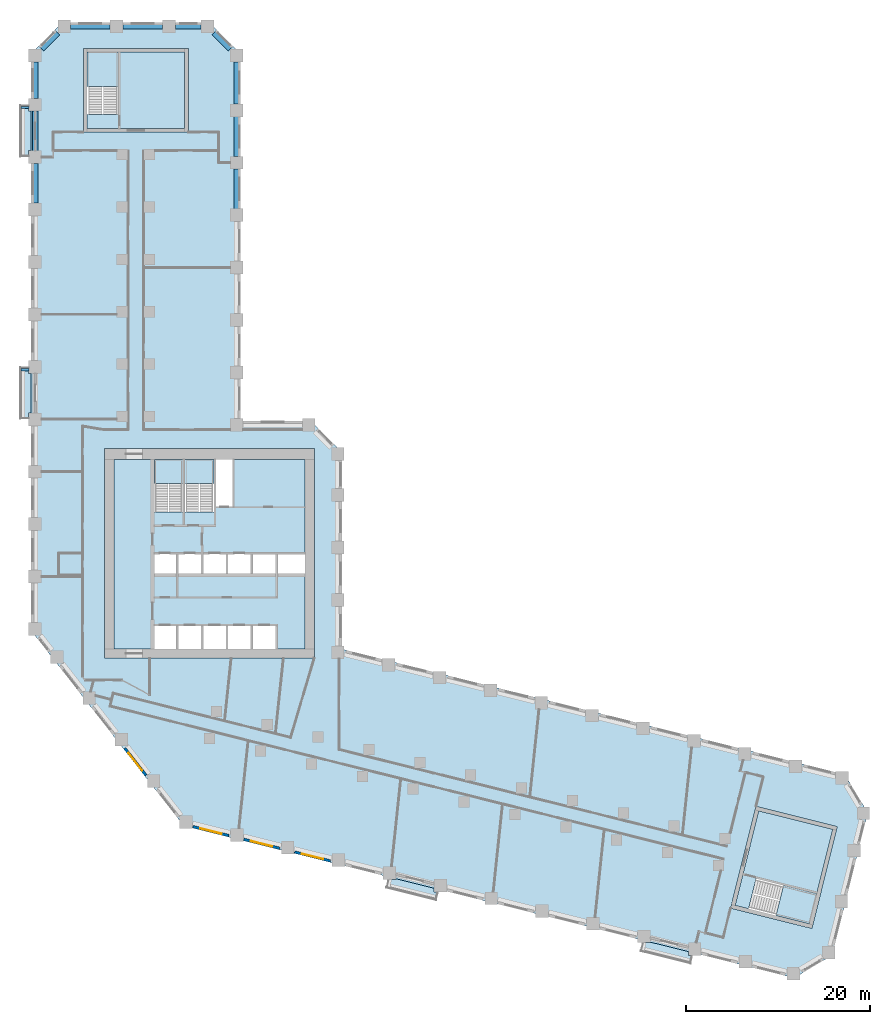
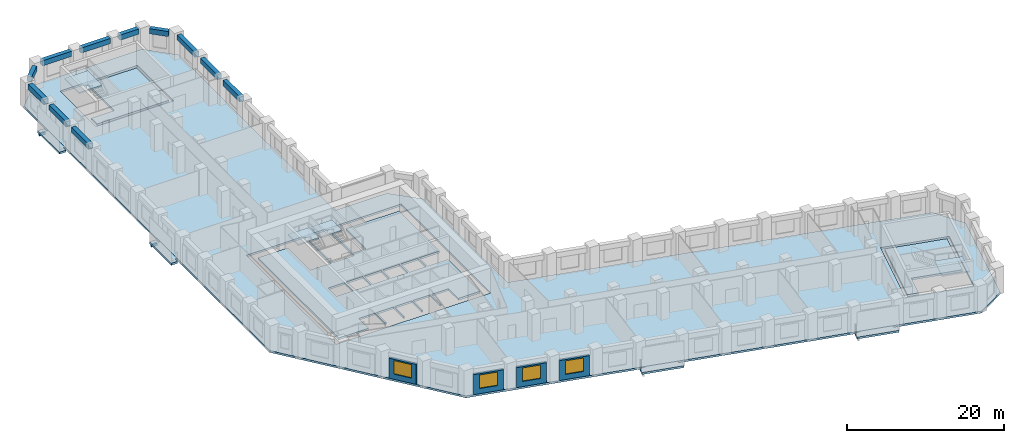
# One storey, part 2 of 11: 13 beams, 12 slabs, 4 walls, 4 windows, 4 openings, 4 elements without a shape of their own.
"""IFC4 building model written with IfcOpenShell, lengths in metres."""

from ifc_helpers import new_model, si_unit, direction, frame, frame_2d, origin, origin_2d, place, context, subcontext, project, spatial, polyline, rectangle, outline, extrude, material, layer, layer_set, material_profile, profile_set, type_object, element, fill, aggregate, save


model = new_model("IFC4")

# Units and contexts
model_context = context("Model", 3, precision=1e-05, world=origin(), true_north=direction((0.0, 1.0)))
body_context = subcontext(model_context, "Body", "Model", "MODEL_VIEW")
ifc_project = project(units=[si_unit("LENGTHUNIT", "METRE"), si_unit("AREAUNIT", "SQUARE_METRE"), si_unit("VOLUMEUNIT", "CUBIC_METRE"), si_unit("PLANEANGLEUNIT", "RADIAN"), si_unit("MASSUNIT", "GRAM", prefix="KILO")], contexts=[model_context])

# Site, building, storey
site_placement = place(None, origin())
site = spatial("IfcSite", under=ifc_project, at=site_placement, CompositionType="ELEMENT")
building_placement = place(site_placement, origin())
building = spatial("IfcBuilding", under=site, at=building_placement, Name="Meshkara Civic Tower", CompositionType="ELEMENT")
storey_placement = place(building_placement, frame((0.0, 0.0, 45.60009765625)))
storey = spatial("IfcBuildingStorey", under=building, at=storey_placement, Name="L09", CompositionType="ELEMENT", Elevation=45.60009765625)

# Beams
ifc_material_1 = material(Name="Concrete C50", Category="concrete")
ifc_material_profile_1 = material_profile(ifc_material_1, rectangle(XDim=0.25, YDim=0.39990234375, at=origin_2d()))
ifc_profile_set_1 = profile_set([ifc_material_profile_1], Name="Concrete C50")
beam_type_1 = type_object("IfcBeamType", Name="Balcony bracket beam RC 250x400 C50", PredefinedType="BEAM", material=ifc_profile_set_1)
for number, where, z_axis, x_axis, name in (
    (1, (-0.2451171875, 73.955078125, -0.5), (-1.0, 0.0, 0.0), (0.0, -1.0, 0.0), "Balcony bracket beam"),
    (2, (-0.2451171875, 45.455078125, -0.5), (-1.0, 0.0, 0.0), (0.0, -1.0, 0.0), "Balcony bracket beam"),
):
    element("IfcBeam", number, at=place(storey_placement, frame(where, z_axis=z_axis, x_axis=x_axis)), inside=storey, type_object=beam_type_1, Name=name, PredefinedType="BEAM", context=body_context, shape_type="SweptSolid", body=[
        extrude(rectangle(XDim=0.25, YDim=0.39990234375, at=origin_2d()), origin(), (0.0, 0.0, 1.0), 0.85498046875),
    ])
ifc_material_2 = material(Name="Concrete C70", Category="concrete")
ifc_material_profile_2 = material_profile(ifc_material_2, rectangle(XDim=0.60009765625, YDim=0.800048828125, at=origin_2d()))
ifc_profile_set_2 = profile_set([ifc_material_profile_2], Name="Concrete C70")
beam_type_2 = type_object("IfcBeamType", Name="Spandrel beam RC 600x800 C70", PredefinedType="BEAM", material=ifc_profile_set_2)
beam_1_placement = place(storey_placement, frame((22.35009765625, 62.945068359375, 3.5), z_axis=(0.0, 1.0, 0.0), x_axis=(-1.0, 0.0, 0.0)))
element("IfcBeam", 3, at=beam_1_placement, inside=storey, type_object=beam_type_2, Name="Spandrel beam AE04-AE05", PredefinedType="BEAM", context=body_context, shape_type="SweptSolid", body=[
    extrude(rectangle(XDim=0.60009765625, YDim=0.800048828125, at=origin_2d()), origin(), (0.0, 0.0, 1.0), 4.309814453125),
])
beam_2_placement = place(storey_placement, frame((22.35009765625, 68.64501953125, 3.5), z_axis=(0.0, 1.0, 0.0), x_axis=(-1.0, 0.0, 0.0)))
element("IfcBeam", 4, at=beam_2_placement, inside=storey, type_object=beam_type_2, Name="Spandrel beam AE05-AE06", PredefinedType="BEAM", context=body_context, shape_type="SweptSolid", body=[
    extrude(rectangle(XDim=0.60009765625, YDim=0.800048828125, at=origin_2d()), origin(), (0.0, 0.0, 1.0), 4.31005859375),
])
beam_3_placement = place(storey_placement, frame((22.35009765625, 74.344970703125, 3.5), z_axis=(0.0, 1.0, 0.0), x_axis=(-1.0, 0.0, 0.0)))
element("IfcBeam", 5, at=beam_3_placement, inside=storey, type_object=beam_type_2, Name="Spandrel beam AE06-AEE", PredefinedType="BEAM", context=body_context, shape_type="SweptSolid", body=[
    extrude(rectangle(XDim=0.60009765625, YDim=0.800048828125, at=origin_2d()), origin(), (0.0, 0.0, 1.0), 4.573974609375),
])
beam_4_placement = place(storey_placement, frame((21.653564453125, 80.310546875, 3.5), z_axis=(-0.707155737934, 0.70705782105, 0.0), x_axis=(-0.70705782105, -0.707155737934, 0.0)))
element("IfcBeam", 6, at=beam_4_placement, inside=storey, type_object=beam_type_2, Name="Spandrel beam AEE-ATiE", PredefinedType="BEAM", context=body_context, shape_type="SweptSolid", body=[
    extrude(rectangle(XDim=0.60009765625, YDim=0.800048828125, at=origin_2d()), origin(), (0.0, 0.0, 1.0), 2.493408203125),
])
beam_5_placement = place(storey_placement, frame((18.4990234375, 82.77001953125, 3.5), z_axis=(-1.0, 0.0, 0.0), x_axis=(0.0, -1.0, 0.0)))
element("IfcBeam", 7, at=beam_5_placement, inside=storey, type_object=beam_type_2, Name="Spandrel beam AT02-ATiE", PredefinedType="BEAM", context=body_context, shape_type="SweptSolid", body=[
    extrude(rectangle(XDim=0.60009765625, YDim=0.800048828125, at=origin_2d()), origin(), (0.0, 0.0, 1.0), 2.798095703125),
])
for number, where, z_axis, x_axis, name in (
    (8, (14.31103515625, 82.77001953125, 3.5), (-1.0, 0.0, 0.0), (0.0, -1.0, 0.0), "Spandrel beam AT01-AT02"),
    (9, (8.611083984375, 82.77001953125, 3.5), (-1.0, 0.0, 0.0), (0.0, -1.0, 0.0), "Spandrel beam AT00-AT01"),
):
    element("IfcBeam", number, at=place(storey_placement, frame(where, z_axis=z_axis, x_axis=x_axis)), inside=storey, type_object=beam_type_2, Name=name, PredefinedType="BEAM", context=body_context, shape_type="SweptSolid", body=[
        extrude(rectangle(XDim=0.60009765625, YDim=0.800048828125, at=origin_2d()), origin(), (0.0, 0.0, 1.0), 4.31005859375),
    ])
beam_6_placement = place(storey_placement, frame((2.909423828125, 82.073486328125, 3.5), z_axis=(-0.707106781187, -0.707106781187, 0.0), x_axis=(0.707106781187, -0.707106781187, 0.0)))
element("IfcBeam", 10, at=beam_6_placement, inside=storey, type_object=beam_type_2, Name="Spandrel beam AT00-ATo00", PredefinedType="BEAM", context=body_context, shape_type="SweptSolid", body=[
    extrude(rectangle(XDim=0.60009765625, YDim=0.800048828125, at=origin_2d()), origin(), (0.0, 0.0, 1.0), 2.4931640625),
])
beam_7_placement = place(storey_placement, frame((0.449951171875, 78.9189453125, 3.5), z_axis=(0.0, -1.0, 0.0), x_axis=(1.0, 0.0, 0.0)))
element("IfcBeam", 11, at=beam_7_placement, inside=storey, type_object=beam_type_2, Name="Spandrel beam ATo00-AW10", PredefinedType="BEAM", context=body_context, shape_type="SweptSolid", body=[
    extrude(rectangle(XDim=0.60009765625, YDim=0.800048828125, at=origin_2d()), origin(), (0.0, 0.0, 1.0), 3.968994140625),
])
for number, where, z_axis, x_axis, name in (
    (12, (0.449951171875, 73.56005859375, 3.5), (0.0, -1.0, 0.0), (1.0, 0.0, 0.0), "Spandrel beam AW09-AW10"),
    (13, (0.449951171875, 67.860107421875, 3.5), (0.0, -1.0, 0.0), (1.0, 0.0, 0.0), "Spandrel beam AW08-AW09"),
):
    element("IfcBeam", number, at=place(storey_placement, frame(where, z_axis=z_axis, x_axis=x_axis)), inside=storey, type_object=beam_type_2, Name=name, PredefinedType="BEAM", context=body_context, shape_type="SweptSolid", body=[
        extrude(rectangle(XDim=0.60009765625, YDim=0.800048828125, at=origin_2d()), origin(), (0.0, 0.0, 1.0), 4.31005859375),
    ])

# Slabs
ifc_material_3 = material(Name="Concrete C40", Category="concrete")
ifc_layer_1 = layer(ifc_material_3, 0.300048828125)
ifc_layer_set_1 = layer_set([ifc_layer_1], Name="BALCONY SLAB")
slab_type_1 = type_object("IfcSlabType", Name="BALCONY SLAB", PredefinedType="FLOOR", material=ifc_layer_set_1)
slab_1_placement = place(storey_placement, frame((0.0, 0.0, -0.300048828125)))
element("IfcSlab", 14, at=slab_1_placement, inside=storey, type_object=slab_type_1, Name="Balcony slab", PredefinedType="FLOOR", context=body_context, shape_type="SweptSolid", body=[
    extrude(outline(polyline([(-1.199951171875, 68.614990234375), (-1.199951171875, 74.195068359375), (-0.25, 74.195068359375), (-0.25, 73.554931640625), (0.0, 73.554931640625), (0.0, 69.2548828125), (-0.25, 69.2548828125), (-0.25, 68.614990234375), (-1.199951171875, 68.614990234375)])), origin(), (0.0, 0.0, 1.0), 0.300048828125),
])
slab_2_placement = place(storey_placement, frame((0.0, 0.0, -0.300048828125)))
element("IfcSlab", 15, at=slab_2_placement, inside=storey, type_object=slab_type_1, Name="Balcony slab", PredefinedType="FLOOR", context=body_context, shape_type="SweptSolid", body=[
    extrude(outline(polyline([(-1.199951171875, 40.114990234375), (-1.199951171875, 45.695068359375), (-0.25, 45.695068359375), (-0.25, 45.054931640625), (0.0, 45.054931640625), (0.0, 40.7548828125), (-0.25, 40.7548828125), (-0.25, 40.114990234375), (-1.199951171875, 40.114990234375)])), origin(), (0.0, 0.0, 1.0), 0.300048828125),
])
slab_3_placement = place(storey_placement, frame((0.0, 0.0, -0.300048828125)))
element("IfcSlab", 16, at=slab_3_placement, inside=storey, type_object=slab_type_1, Name="Balcony slab", PredefinedType="FLOOR", context=body_context, shape_type="SweptSolid", body=[
    extrude(outline(polyline([(44.047119140625, -12.218994140625), (38.633056640625, -10.868896484375), (38.861083984375, -9.9541015625), (39.674072265625, -9.9541015625), (39.674072265625, -9.89208984375), (43.804931640625, -10.922119140625), (43.804931640625, -11.33203125), (44.26904296875, -11.33203125), (44.047119140625, -12.218994140625)])), origin(), (0.0, 0.0, 1.0), 0.300048828125),
])
slab_4_placement = place(storey_placement, frame((0.0, 0.0, -0.300048828125)))
element("IfcSlab", 17, at=slab_4_placement, inside=storey, type_object=slab_type_1, Name="Balcony slab", PredefinedType="FLOOR", context=body_context, shape_type="SweptSolid", body=[
    extrude(outline(polyline([(71.700927734375, -19.114013671875), (66.285888671875, -17.763916015625), (66.513916015625, -16.847900390625), (67.326904296875, -16.847900390625), (67.326904296875, -16.785888671875), (71.4580078125, -17.81591796875), (71.4580078125, -18.22705078125), (71.922119140625, -18.22705078125), (71.700927734375, -19.114013671875)])), origin(), (0.0, 0.0, 1.0), 0.300048828125),
])
ifc_material_4 = material(Name="Concrete C40/50", Category="concrete")
ifc_layer_2 = layer(ifc_material_4, 0.300048828125)
ifc_layer_set_2 = layer_set([ifc_layer_2], Name="Core floor slab 300 C40/50")
slab_type_2 = type_object("IfcSlabType", Name="Core floor slab 300 C40/50", PredefinedType="FLOOR", material=ifc_layer_set_2)
slab_5_placement = place(storey_placement, frame((0.0, 0.0, -0.300048828125)))
element("IfcSlab", 18, at=slab_5_placement, inside=storey, type_object=slab_type_2, Name="Core floor K", PredefinedType="FLOOR", context=body_context, shape_type="SweptSolid", body=[
    extrude(outline(polyline([(9.0, 35.699951171875), (13.39990234375, 35.699951171875), (13.39990234375, 30.00146484375), (16.5, 30.00146484375), (16.5, 35.699951171875), (16.699951171875, 35.699951171875), (16.699951171875, 30.00146484375), (19.89990234375, 30.00146484375), (19.89990234375, 35.699951171875), (20.10009765625, 35.699951171875), (20.10009765625, 30.574951171875), (21.925048828125, 30.574951171875), (21.925048828125, 35.699951171875), (29.800048828125, 35.699951171875), (29.800048828125, 25.39990234375), (26.800048828125, 25.39990234375), (26.800048828125, 23.300048828125), (29.800048828125, 23.300048828125), (29.800048828125, 15.10009765625), (26.60009765625, 15.10009765625), (26.60009765625, 17.60009765625), (24.10009765625, 17.60009765625), (24.10009765625, 15.10009765625), (23.89990234375, 15.10009765625), (23.89990234375, 17.60009765625), (21.39990234375, 17.60009765625), (21.39990234375, 15.10009765625), (21.199951171875, 15.10009765625), (21.199951171875, 17.60009765625), (18.699951171875, 17.60009765625), (18.699951171875, 15.10009765625), (18.5, 15.10009765625), (18.5, 17.60009765625), (16.0, 17.60009765625), (16.0, 15.10009765625), (15.800048828125, 15.10009765625), (15.800048828125, 17.60009765625), (13.39990234375, 17.60009765625), (13.39990234375, 15.10009765625), (9.0, 15.10009765625), (9.0, 35.699951171875)]), holes=[polyline([(13.39990234375, 25.39990234375), (13.39990234375, 23.300048828125), (15.800048828125, 23.300048828125), (15.800048828125, 25.39990234375), (13.39990234375, 25.39990234375)]), polyline([(18.5, 23.300048828125), (18.5, 25.39990234375), (16.0, 25.39990234375), (16.0, 23.300048828125), (18.5, 23.300048828125)]), polyline([(18.699951171875, 25.39990234375), (18.699951171875, 23.300048828125), (21.199951171875, 23.300048828125), (21.199951171875, 25.39990234375), (18.699951171875, 25.39990234375)]), polyline([(23.89990234375, 23.300048828125), (23.89990234375, 25.39990234375), (21.39990234375, 25.39990234375), (21.39990234375, 23.300048828125), (23.89990234375, 23.300048828125)]), polyline([(26.60009765625, 23.300048828125), (26.60009765625, 25.39990234375), (24.10009765625, 25.39990234375), (24.10009765625, 23.300048828125), (26.60009765625, 23.300048828125)])]), origin(), (0.0, 0.0, 1.0), 0.300048828125),
])
slab_6_placement = place(storey_placement, frame((0.0, 0.0, -0.300048828125)))
element("IfcSlab", 19, at=slab_6_placement, inside=storey, type_object=slab_type_2, Name="Core floor EA", PredefinedType="FLOOR", context=body_context, shape_type="SweptSolid", body=[
    extrude(outline(polyline([(16.699951171875, 71.669921875), (16.699951171875, 79.969970703125), (9.5, 79.969970703125), (9.5, 73.17138671875), (6.10009765625, 73.17138671875), (6.10009765625, 71.669921875), (16.699951171875, 71.669921875)])), origin(), (0.0, 0.0, 1.0), 0.300048828125),
])
slab_7_placement = place(storey_placement, frame((0.0, 0.0, -0.300048828125)))
element("IfcSlab", 20, at=slab_7_placement, inside=storey, type_object=slab_type_2, Name="Core floor EB", PredefinedType="FLOOR", context=body_context, shape_type="SweptSolid", body=[
    extrude(outline(polyline([(79.11181640625, -2.513671875), (87.165283203125, -4.521484375), (85.423583984375, -11.507568359375), (78.826904296875, -9.863037109375), (78.00439453125, -13.161865234375), (76.547607421875, -12.798583984375), (79.11181640625, -2.513671875)])), origin(), (0.0, 0.0, 1.0), 0.300048828125),
])

# Stair, slab
ifc_material_5 = material(Name="Precast concrete C40/50", Category="concrete")
stair_type_1 = type_object("IfcStairType", Name="Exit stair half-turn 24 risers precast", PredefinedType="HALF_TURN_STAIR", material=ifc_material_5)
stair_1_placement = place(storey_placement, origin())
stair_1 = element("IfcStair", 21, at=stair_1_placement, inside=storey, type_object=stair_type_1, Name="L09 exit stair 1", PredefinedType="HALF_TURN_STAIR")
ifc_material_6 = material(Name="Precast concrete C40/50", Category="concrete")
ifc_layer_3 = layer(ifc_material_6, 0.199951171875)
ifc_layer_set_3 = layer_set([ifc_layer_3], Name="Exit stair landing 200")
slab_type_3 = type_object("IfcSlabType", Name="Exit stair landing 200", PredefinedType="LANDING", material=ifc_layer_set_3)
slab_8_placement = place(storey_placement, frame((0.0, 0.0, 1.89990234375)))
slab_8 = element("IfcSlab", 22, at=slab_8_placement, type_object=slab_type_3, Name="ST1 landing 1", PredefinedType="LANDING", context=body_context, shape_type="SweptSolid", body=[
    extrude(outline(polyline([(16.5, 33.07861328125), (16.5, 35.699951171875), (13.39990234375, 35.699951171875), (13.39990234375, 33.07861328125), (16.5, 33.07861328125)])), origin(), (0.0, 0.0, 1.0), 0.199951171875),
])
aggregate(stair_1, [slab_8])

stair_2_placement = place(storey_placement, origin())
stair_2 = element("IfcStair", 23, at=stair_2_placement, inside=storey, type_object=stair_type_1, Name="L09 exit stair 2", PredefinedType="HALF_TURN_STAIR")
slab_9_placement = place(storey_placement, frame((0.0, 0.0, 1.89990234375)))
slab_9 = element("IfcSlab", 24, at=slab_9_placement, type_object=slab_type_3, Name="ST2 landing 1", PredefinedType="LANDING", context=body_context, shape_type="SweptSolid", body=[
    extrude(outline(polyline([(19.89990234375, 33.07861328125), (19.89990234375, 35.699951171875), (16.699951171875, 35.699951171875), (16.699951171875, 33.07861328125), (19.89990234375, 33.07861328125)])), origin(), (0.0, 0.0, 1.0), 0.199951171875),
])
aggregate(stair_2, [slab_9])

ifc_material_7 = material(Name="Precast concrete C40/50", Category="concrete")
stair_type_2 = type_object("IfcStairType", Name="Exit stair half-turn 24 risers 1500 precast", PredefinedType="HALF_TURN_STAIR", material=ifc_material_7)
stair_3_placement = place(storey_placement, origin())
stair_3 = element("IfcStair", 25, at=stair_3_placement, inside=storey, type_object=stair_type_2, Name="L09 exit stair A from B2", PredefinedType="HALF_TURN_STAIR")
slab_10_placement = place(storey_placement, frame((0.0, 0.0, 1.89990234375)))
slab_10 = element("IfcSlab", 26, at=slab_10_placement, type_object=slab_type_3, Name="ESA1 landing 1", PredefinedType="LANDING", context=body_context, shape_type="SweptSolid", body=[
    extrude(outline(polyline([(9.5, 76.24853515625), (9.5, 79.969970703125), (6.10009765625, 79.969970703125), (6.10009765625, 76.24853515625), (9.5, 76.24853515625)])), origin(), (0.0, 0.0, 1.0), 0.199951171875),
])
aggregate(stair_3, [slab_10])

stair_4_placement = place(storey_placement, origin())
stair_4 = element("IfcStair", 27, at=stair_4_placement, inside=storey, type_object=stair_type_2, Name="L09 exit stair B from B2", PredefinedType="HALF_TURN_STAIR")
slab_11_placement = place(storey_placement, frame((0.0, 0.0, 1.89990234375)))
slab_11 = element("IfcSlab", 28, at=slab_11_placement, type_object=slab_type_3, Name="ESB1 landing 1", PredefinedType="LANDING", context=body_context, shape_type="SweptSolid", body=[
    extrude(outline(polyline([(80.98974609375, -13.9072265625), (84.600830078125, -14.80810546875), (85.424072265625, -11.50830078125), (81.81298828125, -10.607421875), (80.98974609375, -13.9072265625)])), origin(), (0.0, 0.0, 1.0), 0.199951171875),
])
aggregate(stair_4, [slab_11])

# Slab
ifc_material_8 = material(Name="Concrete C50", Category="concrete")
ifc_layer_4 = layer(ifc_material_8, 0.300048828125)
ifc_layer_set_4 = layer_set([ifc_layer_4], Name="Post-tensioned flat slab 300 C50")
slab_type_4 = type_object("IfcSlabType", Name="Post-tensioned flat slab 300 C50", PredefinedType="FLOOR", material=ifc_layer_set_4)
slab_12_placement = place(storey_placement, frame((0.0, 0.0, -0.300048828125)))
element("IfcSlab", 29, at=slab_12_placement, inside=storey, type_object=slab_type_4, Name="Post-tensioned flat slab L09", PredefinedType="FLOOR", context=body_context, shape_type="SweptSolid", body=[
    extrude(outline(polyline([(87.10595703125, -18.193115234375), (82.9599609375, -20.68408203125), (16.592041015625, -4.136962890625), (0.0, 17.10009765625), (0.0, 79.800048828125), (3.419921875, 83.219970703125), (19.3798828125, 83.219970703125), (22.800048828125, 79.800048828125), (22.800048828125, 39.89990234375), (30.3798828125, 39.89990234375), (33.800048828125, 36.47998046875), (33.800048828125, 15.071044921875), (88.47607421875, 1.43798828125), (90.967041015625, -2.70703125), (87.10595703125, -18.193115234375)]), holes=[polyline([(84.89208984375, -15.2919921875), (87.64990234375, -4.22998046875), (78.821044921875, -2.029052734375), (76.06298828125, -13.090087890625), (84.89208984375, -15.2919921875)]), polyline([(8.0, 14.10009765625), (30.800048828125, 14.10009765625), (30.800048828125, 36.89990234375), (8.0, 36.89990234375), (8.0, 14.10009765625)]), polyline([(5.699951171875, 80.3701171875), (5.699951171875, 71.27001953125), (17.10009765625, 71.27001953125), (17.10009765625, 80.3701171875), (5.699951171875, 80.3701171875)])]), origin(), (0.0, 0.0, 1.0), 0.300048828125),
])

# Wall, opening, window
ifc_material_9 = material(Name="Insulated infill panel with bronze anodised aluminium cladding", Category="aluminium")
ifc_layer_5 = layer(ifc_material_9, 0.300048828125)
ifc_layer_set_5 = layer_set([ifc_layer_5], Name="EXTERNAL INFILL WALL 300")
wall_type = type_object("IfcWallType", Name="EXTERNAL INFILL WALL 300", PredefinedType="SOLIDWALL", material=ifc_layer_set_5)
wall_1_placement = place(storey_placement, frame((10.201904296875, 4.285888671875, 0.0), z_axis=(0.0, 0.0, 1.0), x_axis=(0.615636430057, -0.788030320474, 0.0)))
wall_1 = element("IfcWall", 30, at=wall_1_placement, inside=storey, type_object=wall_type, Name="External wall", PredefinedType="SOLIDWALL", context=body_context, shape_type="SweptSolid", body=[
    extrude(rectangle(XDim=3.734375, YDim=0.300048828125, at=frame_2d((1.8671875, 0.0))), origin(), (0.0, 0.0, 1.0), 3.099853515625),
])
opening_1_placement = place(wall_1_placement, frame((0.6669921875, 0.0, 0.800048828125)))
opening_1 = element("IfcOpeningElement", 31, at=opening_1_placement, cuts=wall_1, Name="Opening W7", PredefinedType="OPENING", context=body_context, shape_type="SweptSolid", body=[
    extrude(rectangle(XDim=2.39990234375, YDim=2.10009765625, at=frame_2d((1.199951171875, 1.050048828125))), frame((0.0, 0.159912109375, 0.0), z_axis=(0.0, -1.0, 0.0), x_axis=(1.0, 0.0, 0.0)), (0.0, 0.0, 1.0), 0.320068359375),
])
ifc_material_10 = material(Name="Tinted double glazing", Category="glass")
window_type = type_object("IfcWindowType", Name="WINDOW 2400x2100", PartitioningType="DOUBLE_PANEL_VERTICAL", PredefinedType="WINDOW", material=ifc_material_10)
window_1_placement = place(opening_1_placement, origin())
window_1 = element("IfcWindow", 32, at=window_1_placement, inside=storey, type_object=window_type, Name="Window", OverallHeight=2.10009765625, OverallWidth=2.39990234375, PartitioningType="DOUBLE_PANEL_VERTICAL", PredefinedType="WINDOW", context=body_context, shape_type="SweptSolid", body=[
    extrude(rectangle(XDim=2.39990234375, YDim=2.10009765625, at=frame_2d((1.199951171875, 1.050048828125))), frame((0.0, 0.030029296875, 0.0), z_axis=(0.0, -1.0, 0.0), x_axis=(1.0, 0.0, 0.0)), (0.0, 0.0, 1.0), 0.06005859375),
])
fill(opening_1, window_1)

wall_2_placement = place(storey_placement, frame((17.60205078125, -4.23388671875, 0.0), z_axis=(0.0, 0.0, 1.0), x_axis=(0.970260773365, -0.242062040951, 0.0)))
wall_2 = element("IfcWall", 33, at=wall_2_placement, inside=storey, type_object=wall_type, Name="External wall", PredefinedType="SOLIDWALL", context=body_context, shape_type="SweptSolid", body=[
    extrude(rectangle(XDim=4.003173828125, YDim=0.300048828125, at=frame_2d((2.00146484375, 0.0))), origin(), (0.0, 0.0, 1.0), 3.099853515625),
])
opening_2_placement = place(wall_2_placement, frame((0.802001953125, 0.0, 0.800048828125)))
opening_2 = element("IfcOpeningElement", 34, at=opening_2_placement, cuts=wall_2, Name="Opening W7", PredefinedType="OPENING", context=body_context, shape_type="SweptSolid", body=[
    extrude(rectangle(XDim=2.39990234375, YDim=2.10009765625, at=frame_2d((1.199951171875, 1.050048828125))), frame((0.0, 0.159912109375, 0.0), z_axis=(0.0, -1.0, 0.0), x_axis=(1.0, 0.0, 0.0)), (0.0, 0.0, 1.0), 0.320068359375),
])
window_2_placement = place(opening_2_placement, origin())
window_2 = element("IfcWindow", 35, at=window_2_placement, inside=storey, type_object=window_type, Name="Window", OverallHeight=2.10009765625, OverallWidth=2.39990234375, PartitioningType="DOUBLE_PANEL_VERTICAL", PredefinedType="WINDOW", context=body_context, shape_type="SweptSolid", body=[
    extrude(rectangle(XDim=2.39990234375, YDim=2.10009765625, at=frame_2d((1.199951171875, 1.050048828125))), frame((0.0, 0.030029296875, 0.0), z_axis=(0.0, -1.0, 0.0), x_axis=(1.0, 0.0, 0.0)), (0.0, 0.0, 1.0), 0.06005859375),
])
fill(opening_2, window_2)

wall_3_placement = place(storey_placement, frame((23.133056640625, -5.613037109375, 0.0), z_axis=(0.0, 0.0, 1.0), x_axis=(0.970303772127, -0.241889623168, 0.0)))
wall_3 = element("IfcWall", 36, at=wall_3_placement, inside=storey, type_object=wall_type, Name="External wall", PredefinedType="SOLIDWALL", context=body_context, shape_type="SweptSolid", body=[
    extrude(rectangle(XDim=4.001953125, YDim=0.300048828125, at=frame_2d((2.0009765625, 0.0))), origin(), (0.0, 0.0, 1.0), 3.099853515625),
])
opening_3_placement = place(wall_3_placement, frame((0.801025390625, 0.0, 0.800048828125)))
opening_3 = element("IfcOpeningElement", 37, at=opening_3_placement, cuts=wall_3, Name="Opening W7", PredefinedType="OPENING", context=body_context, shape_type="SweptSolid", body=[
    extrude(rectangle(XDim=2.39990234375, YDim=2.10009765625, at=frame_2d((1.199951171875, 1.050048828125))), frame((0.0, 0.159912109375, 0.0), z_axis=(0.0, -1.0, 0.0), x_axis=(1.0, 0.0, 0.0)), (0.0, 0.0, 1.0), 0.320068359375),
])
window_3_placement = place(opening_3_placement, origin())
window_3 = element("IfcWindow", 38, at=window_3_placement, inside=storey, type_object=window_type, Name="Window", OverallHeight=2.10009765625, OverallWidth=2.39990234375, PartitioningType="DOUBLE_PANEL_VERTICAL", PredefinedType="WINDOW", context=body_context, shape_type="SweptSolid", body=[
    extrude(rectangle(XDim=2.39990234375, YDim=2.10009765625, at=frame_2d((1.199951171875, 1.050048828125))), frame((0.0, 0.030029296875, 0.0), z_axis=(0.0, -1.0, 0.0), x_axis=(1.0, 0.0, 0.0)), (0.0, 0.0, 1.0), 0.06005859375),
])
fill(opening_3, window_3)

wall_4_placement = place(storey_placement, frame((28.6630859375, -6.991943359375, 0.0), z_axis=(0.0, 0.0, 1.0), x_axis=(0.970318045095, -0.24183236211, 0.0)))
wall_4 = element("IfcWall", 39, at=wall_4_placement, inside=storey, type_object=wall_type, Name="External wall", PredefinedType="SOLIDWALL", context=body_context, shape_type="SweptSolid", body=[
    extrude(rectangle(XDim=4.0029296875, YDim=0.300048828125, at=frame_2d((2.00146484375, 0.0))), origin(), (0.0, 0.0, 1.0), 3.099853515625),
])
opening_4_placement = place(wall_4_placement, frame((0.802001953125, 0.0, 0.800048828125)))
opening_4 = element("IfcOpeningElement", 40, at=opening_4_placement, cuts=wall_4, Name="Opening W7", PredefinedType="OPENING", context=body_context, shape_type="SweptSolid", body=[
    extrude(rectangle(XDim=2.39990234375, YDim=2.10009765625, at=frame_2d((1.199951171875, 1.050048828125))), frame((0.0, 0.159912109375, 0.0), z_axis=(0.0, -1.0, 0.0), x_axis=(1.0, 0.0, 0.0)), (0.0, 0.0, 1.0), 0.320068359375),
])
window_4_placement = place(opening_4_placement, origin())
window_4 = element("IfcWindow", 41, at=window_4_placement, inside=storey, type_object=window_type, Name="Window", OverallHeight=2.10009765625, OverallWidth=2.39990234375, PartitioningType="DOUBLE_PANEL_VERTICAL", PredefinedType="WINDOW", context=body_context, shape_type="SweptSolid", body=[
    extrude(rectangle(XDim=2.39990234375, YDim=2.10009765625, at=frame_2d((1.199951171875, 1.050048828125))), frame((0.0, 0.030029296875, 0.0), z_axis=(0.0, -1.0, 0.0), x_axis=(1.0, 0.0, 0.0)), (0.0, 0.0, 1.0), 0.06005859375),
])
fill(opening_4, window_4)

save(model, "model.ifc")
